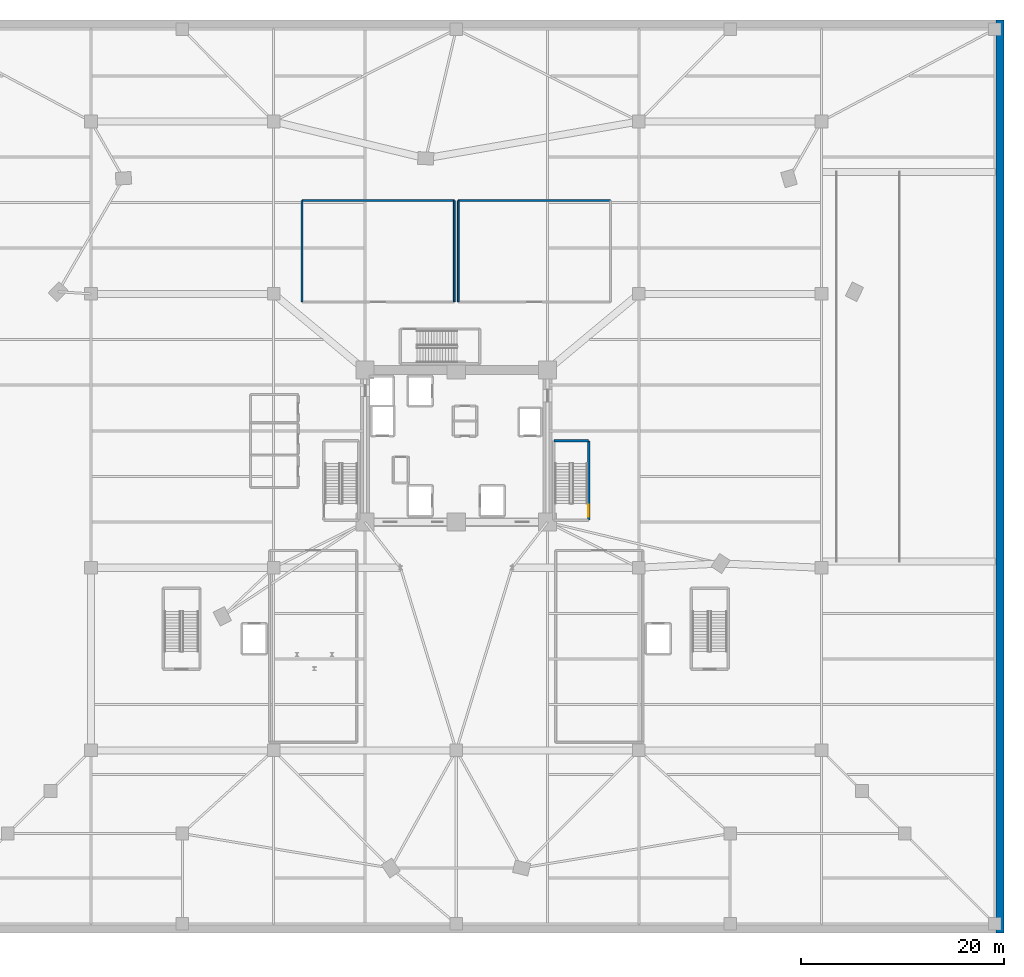
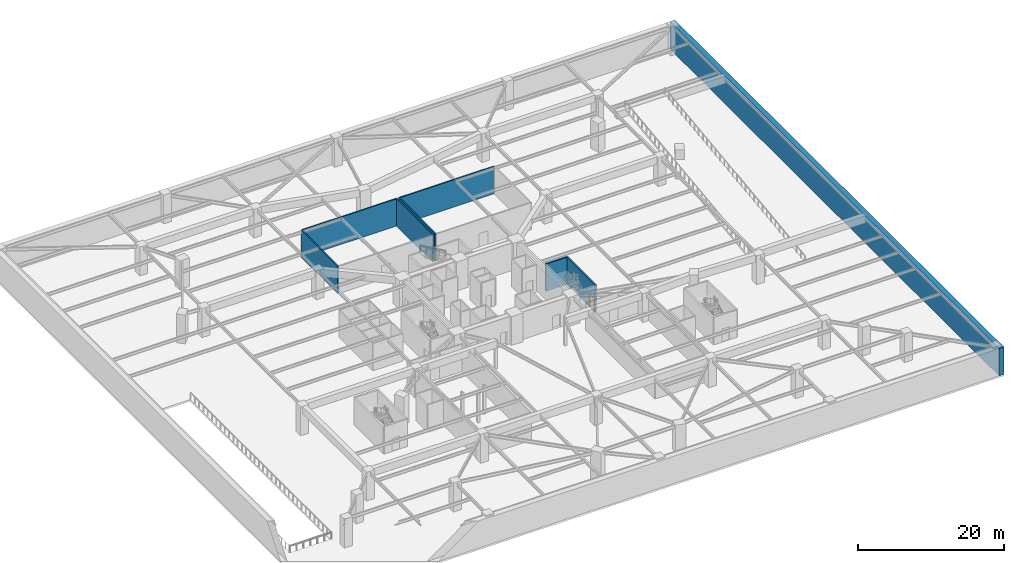
# One storey, part 14 of 20: 8 walls, 1 door, 1 opening.
"""IFC4 building model written with IfcOpenShell, lengths in metres."""

from ifc_helpers import new_model, si_unit, direction, frame, frame_2d, origin, place, context, subcontext, project, spatial, rectangle, extrude, source, transform, mapped, material, layer, layer_set, type_object, element, fill, save


model = new_model("IFC4")

# Units and contexts
model_context = context("Model", 3, precision=1e-05, world=origin(), true_north=direction((0.0, 1.0)))
body_context = subcontext(model_context, "Body", "Model", "MODEL_VIEW")
ifc_project = project(units=[si_unit("LENGTHUNIT", "METRE"), si_unit("AREAUNIT", "SQUARE_METRE"), si_unit("VOLUMEUNIT", "CUBIC_METRE"), si_unit("PLANEANGLEUNIT", "RADIAN"), si_unit("MASSUNIT", "GRAM", prefix="KILO")], contexts=[model_context])

# Site, building, storey
site_placement = place(None, origin())
site = spatial("IfcSite", under=ifc_project, at=site_placement, CompositionType="ELEMENT")
building_placement = place(site_placement, origin())
building = spatial("IfcBuilding", under=site, at=building_placement, Name="Liaohun Quay Tower", CompositionType="ELEMENT")
storey_placement = place(building_placement, frame((0.0, 0.0, -4.800048828125)))
storey = spatial("IfcBuildingStorey", under=building, at=storey_placement, Name="B1", CompositionType="ELEMENT", Elevation=-4.800048828125)

# Walls
ifc_material_1 = material(Name="Autoclaved aerated concrete blockwork", Category="masonry")
ifc_layer_1 = layer(ifc_material_1, 0.179931640625, Name="Autoclaved aerated concrete blockwork", Category="masonry")
ifc_layer_set_1 = layer_set([ifc_layer_1], Name="Autoclaved aerated concrete blockwork")
wall_type_1 = type_object("IfcWallType", Name="WAL-PRT-COR", PredefinedType="PARTITIONING", material=ifc_layer_set_1)
wall_1_placement = place(storey_placement, frame((44.800048828125, 78.199951171875, 0.0), z_axis=(0.0, 0.0, 1.0), x_axis=(1.0, 0.0, 0.0)))
element("IfcWall", 1, at=wall_1_placement, inside=storey, type_object=wall_type_1, Name="B1 Interior Partition Wall 028", PredefinedType="PARTITIONING", context=body_context, shape_type="SweptSolid", body=[
    extrude(rectangle(XDim=15.0, YDim=0.179931640625, at=frame_2d((7.5, 0.0))), origin(), (0.0, 0.0, 1.0), 4.550048828125),
])
for number, where, z_axis, x_axis, name in (
    (2, (44.800048828125, 68.199951171875, 0.0), (0.0, 0.0, 1.0), (0.0, 1.0, 0.0), "B1 Interior Partition Wall 029"),
    (3, (59.800048828125, 68.199951171875, 0.0), (0.0, 0.0, 1.0), (0.0, 1.0, 0.0), "B1 Interior Partition Wall 030"),
):
    element("IfcWall", number, at=place(storey_placement, frame(where, z_axis=z_axis, x_axis=x_axis)), inside=storey, type_object=wall_type_1, Name=name, PredefinedType="PARTITIONING", context=body_context, shape_type="SweptSolid", body=[
        extrude(rectangle(XDim=10.0, YDim=0.179931640625, at=frame_2d((5.0, 0.0))), origin(), (0.0, 0.0, 1.0), 4.550048828125),
    ])
wall_2_placement = place(storey_placement, frame((60.199951171875, 78.199951171875, 0.0), z_axis=(0.0, 0.0, 1.0), x_axis=(1.0, 0.0, 0.0)))
element("IfcWall", 4, at=wall_2_placement, inside=storey, type_object=wall_type_1, Name="B1 Interior Partition Wall 031", PredefinedType="PARTITIONING", context=body_context, shape_type="SweptSolid", body=[
    extrude(rectangle(XDim=15.0, YDim=0.179931640625, at=frame_2d((7.5, 0.0))), origin(), (0.0, 0.0, 1.0), 4.550048828125),
])
wall_3_placement = place(storey_placement, frame((60.199951171875, 68.199951171875, 0.0), z_axis=(0.0, 0.0, 1.0), x_axis=(0.0, 1.0, 0.0)))
element("IfcWall", 5, at=wall_3_placement, inside=storey, type_object=wall_type_1, Name="B1 Interior Partition Wall 032", PredefinedType="PARTITIONING", context=body_context, shape_type="SweptSolid", body=[
    extrude(rectangle(XDim=10.0, YDim=0.179931640625, at=frame_2d((5.0, 0.0))), origin(), (0.0, 0.0, 1.0), 4.550048828125),
])
ifc_material_2 = material(Name="Concrete C50", Category="concrete")
ifc_layer_2 = layer(ifc_material_2, 0.800048828125, Name="Concrete C50", Category="concrete")
ifc_layer_set_2 = layer_set([ifc_layer_2], Name="Concrete C50")
wall_type_2 = type_object("IfcWallType", Name="WAL-RET-B1", PredefinedType="USERDEFINED", material=ifc_layer_set_2)
wall_4_placement = place(storey_placement, frame((113.60009765625, 96.0, 0.0), z_axis=(0.0, 0.0, 1.0), x_axis=(0.0, -1.0, 0.0)))
element("IfcWall", 6, at=wall_4_placement, inside=storey, type_object=wall_type_2, Name="B1 Waterproof Retaining Wall E", ObjectType="RETAINING WALL", PredefinedType="USERDEFINED", context=body_context, shape_type="SweptSolid", body=[
    extrude(rectangle(XDim=90.0, YDim=0.800048828125, at=frame_2d((45.0, 0.0))), origin(), (0.0, 0.0, 1.0), 4.550048828125),
])

# Wall, opening, door
ifc_layer_3 = layer(ifc_material_2, 0.239990234375, Name="Concrete C50", Category="concrete")
ifc_layer_set_3 = layer_set([ifc_layer_3], Name="Concrete C50")
wall_type_3 = type_object("IfcWallType", Name="WAL-SHF-200", PredefinedType="SOLIDWALL", material=ifc_layer_set_3)
wall_5_placement = place(storey_placement, frame((73.06005859375, 46.699951171875, 0.0), z_axis=(0.0, 0.0, 1.0), x_axis=(0.0, 1.0, 0.0)))
wall_5 = element("IfcWall", 7, at=wall_5_placement, inside=storey, type_object=wall_type_3, Name="B1 Stairwell ST-2 Structural Core Wall E", PredefinedType="SOLIDWALL", context=body_context, shape_type="SweptSolid", body=[
    extrude(rectangle(XDim=7.820068359375, YDim=0.239990234375, at=frame_2d((3.91015625, 0.0))), origin(), (0.0, 0.0, 1.0), 4.550048828125),
])
shared_shape_1 = source(origin(), body_context, "Body", "SweptSolid", [
    extrude(rectangle(XDim=1.199951171875, YDim=2.199951171875, at=frame_2d((0.60009765625, 1.10009765625))), frame((0.0, 0.1298828125, 0.0), z_axis=(0.0, -1.0, 0.0), x_axis=(1.0, 0.0, 0.0)), (0.0, 0.0, 1.0), 0.260009765625),
])
opening_placement = place(wall_5_placement, frame((0.320068359375, 0.0, 0.0)))
opening = element("IfcOpeningElement", 8, at=opening_placement, cuts=wall_5, Name="Opening SD1", PredefinedType="OPENING", context=body_context, shape_type="MappedRepresentation", body=[
    mapped(shared_shape_1, transform((0.0, 0.0, 0.0), x_axis=(1.0, 0.0, 0.0), y_axis=(0.0, 1.0, 0.0), z_axis=(0.0, 0.0, 1.0), scale=1.0)),
])
ifc_material_3 = material(Name="Galvanised steel fire door", Category="steel")
door_type = type_object("IfcDoorType", Name="DOR-STR-1200", OperationType="NOTDEFINED", PredefinedType="DOOR", material=ifc_material_3)
shared_shape_2 = source(origin(), body_context, "Body", "SweptSolid", [
    extrude(rectangle(XDim=1.199951171875, YDim=2.199951171875, at=frame_2d((0.60009765625, 1.10009765625))), frame((0.0, 0.02490234375, 0.0), z_axis=(0.0, -1.0, 0.0), x_axis=(1.0, 0.0, 0.0)), (0.0, 0.0, 1.0), 0.050048828125),
])
door_placement = place(opening_placement, origin())
door = element("IfcDoor", 9, at=door_placement, inside=storey, type_object=door_type, Name="B1 Protected Stair ST-2 Fire Door", OperationType="SINGLE_SWING_RIGHT", OverallHeight=2.199951171875, OverallWidth=1.199951171875, PredefinedType="DOOR", context=body_context, shape_type="MappedRepresentation", body=[
    mapped(shared_shape_2, transform((0.0, 0.0, 0.0), x_axis=(1.0, 0.0, 0.0), y_axis=(0.0, 1.0, 0.0), z_axis=(0.0, 0.0, 1.0), scale=1.0)),
])
fill(opening, door)

# Wall
wall_6_placement = place(storey_placement, frame((73.06005859375, 54.52001953125, 0.0), z_axis=(0.0, 0.0, 1.0), x_axis=(-1.0, 0.0, 0.0)))
element("IfcWall", 10, at=wall_6_placement, inside=storey, type_object=wall_type_3, Name="B1 Stairwell ST-2 Structural Core Wall N", PredefinedType="SOLIDWALL", context=body_context, shape_type="SweptSolid", body=[
    extrude(rectangle(XDim=3.43994140625, YDim=0.239990234375, at=frame_2d((1.719970703125, 0.0))), origin(), (0.0, 0.0, 1.0), 4.550048828125),
])

save(model, "model.ifc")
